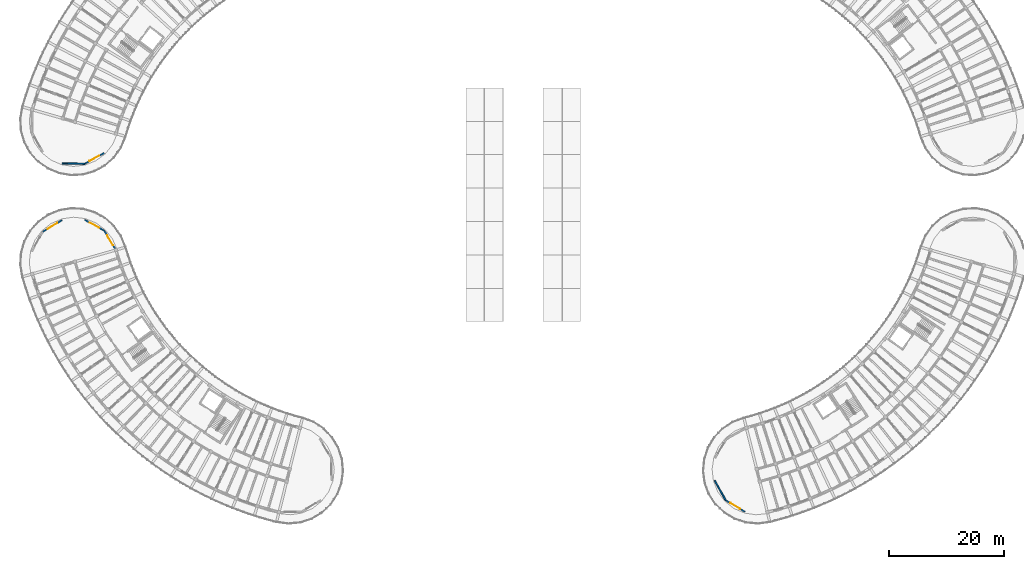
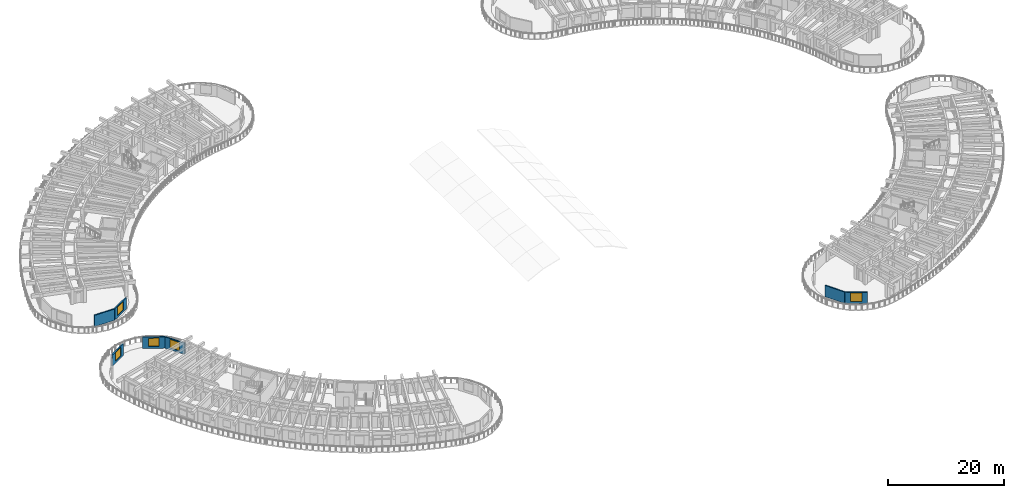
# One storey, part 58 of 96: 7 walls, 5 windows, 5 openings.
"""IFC4 building model written with IfcOpenShell, lengths in metres."""

from ifc_helpers import new_model, si_unit, direction, frame, frame_2d, origin, place, context, subcontext, project, spatial, rectangle, extrude, material, layer, layer_set, type_object, element, fill, save


model = new_model("IFC4")

# Units and contexts
model_context = context("Model", 3, precision=1e-05, world=origin(), true_north=direction((0.0, 1.0)))
body_context = subcontext(model_context, "Body", "Model", "MODEL_VIEW")
ifc_project = project(units=[si_unit("LENGTHUNIT", "METRE"), si_unit("AREAUNIT", "SQUARE_METRE"), si_unit("VOLUMEUNIT", "CUBIC_METRE"), si_unit("PLANEANGLEUNIT", "RADIAN"), si_unit("MASSUNIT", "GRAM", prefix="KILO")], contexts=[model_context])

# Site, building, storey
site_placement = place(None, origin())
site = spatial("IfcSite", under=ifc_project, at=site_placement, CompositionType="ELEMENT")
building_placement = place(site_placement, origin())
building = spatial("IfcBuilding", under=site, at=building_placement, Name="Tanwirah Colonnade Gardens", CompositionType="ELEMENT")
storey_placement = place(building_placement, frame((0.0, 0.0, 12.199951171875)))
storey = spatial("IfcBuildingStorey", under=building, at=storey_placement, Name="L03", CompositionType="ELEMENT", Elevation=12.199951171875)

# Wall, opening, window
ifc_material_1 = material(Name="Limestone architectural precast concrete C40/50", Category="masonry")
ifc_layer_1 = layer(ifc_material_1, 0.239990234375)
ifc_layer_set_1 = layer_set([ifc_layer_1], Name="Limestone architectural precast concrete C40/50")
wall_type_1 = type_object("IfcWallType", Name="EW-PC240", PredefinedType="SOLIDWALL", material=ifc_layer_set_1)
wall_1_placement = place(storey_placement, frame((131.498779296875, 6.787109375, 0.0), z_axis=(0.0, 0.0, 1.0), x_axis=(-0.85715098885, 0.515065221417, 0.0)))
wall_1 = element("IfcWall", 1, at=wall_1_placement, inside=storey, type_object=wall_type_1, Name="Block D L03 START Rounded End Wall 1", PredefinedType="SOLIDWALL", context=body_context, shape_type="SweptSolid", body=[
    extrude(rectangle(XDim=3.908203125, YDim=0.239990234375, at=frame_2d((1.9541015625, 0.0))), origin(), (0.0, 0.0, 1.0), 2.35498046875),
])
opening_1_placement = place(wall_1_placement, frame((0.97900390625, 0.0, 0.39990234375)))
opening_1 = element("IfcOpeningElement", 2, at=opening_1_placement, cuts=wall_1, Name="Opening WIN-END2", PredefinedType="OPENING", context=body_context, shape_type="SweptSolid", body=[
    extrude(rectangle(XDim=1.949951171875, YDim=1.780029296875, at=frame_2d((0.97509765625, 0.89013671875))), frame((0.0, 0.1298828125, 0.0), z_axis=(0.0, -1.0, 0.0), x_axis=(1.0, 0.0, 0.0)), (0.0, 0.0, 1.0), 0.260009765625),
])
ifc_material_2 = material(Name="Thermally broken bronze aluminium and solar low-E double glazing", Category="aluminium")
window_type_1 = type_object("IfcWindowType", Name="WIN-END2", PartitioningType="TRIPLE_PANEL_VERTICAL", PredefinedType="WINDOW", material=ifc_material_2)
window_1_placement = place(opening_1_placement, origin())
window_1 = element("IfcWindow", 3, at=window_1_placement, inside=storey, type_object=window_type_1, Name="Rounded corner window D-L03-START-1", OverallHeight=1.780029296875, OverallWidth=1.949951171875, PartitioningType="SINGLE_PANEL", PredefinedType="WINDOW", context=body_context, shape_type="SweptSolid", body=[
    extrude(rectangle(XDim=1.949951171875, YDim=1.780029296875, at=frame_2d((0.97509765625, 0.89013671875))), frame((0.0, 0.030029296875, 0.0), z_axis=(0.0, -1.0, 0.0), x_axis=(1.0, 0.0, 0.0)), (0.0, 0.0, 1.0), 0.06005859375),
])
fill(opening_1, window_1)

# Wall
wall_2_placement = place(storey_placement, frame((128.14892578125, 8.800048828125, 0.0), z_axis=(0.0, 0.0, 1.0), x_axis=(-0.484841794757, 0.874601871743, 0.0)))
element("IfcWall", 4, at=wall_2_placement, inside=storey, type_object=wall_type_1, Name="Block D L03 START Rounded End Wall 2", PredefinedType="SOLIDWALL", context=body_context, shape_type="SweptSolid", body=[
    extrude(rectangle(XDim=3.907958984375, YDim=0.239990234375, at=frame_2d((1.9541015625, 0.0))), origin(), (0.0, 0.0, 1.0), 2.35498046875),
])

# Wall, opening, window
ifc_layer_2 = layer(ifc_material_1, 0.2451171875)
ifc_layer_set_2 = layer_set([ifc_layer_2], Name="Limestone architectural precast concrete C40/50")
wall_type_2 = type_object("IfcWallType", Name="EW-PC245", PredefinedType="SOLIDWALL", material=ifc_layer_set_2)
wall_3_placement = place(storey_placement, frame((20.259033203125, 69.10205078125, 0.0), z_axis=(0.0, 0.0, 1.0), x_axis=(-0.874643043537, -0.484767517881, 0.0)))
wall_3 = element("IfcWall", 5, at=wall_3_placement, inside=storey, type_object=wall_type_2, Name="Block A L03 END Rounded End Wall 1", PredefinedType="SOLIDWALL", context=body_context, shape_type="SweptSolid", body=[
    extrude(rectangle(XDim=3.908203125, YDim=0.2451171875, at=frame_2d((1.9541015625, 0.0))), origin(), (0.0, 0.0, 1.0), 2.35498046875),
])
opening_2_placement = place(wall_3_placement, frame((0.97900390625, 0.0, 0.39990234375)))
opening_2 = element("IfcOpeningElement", 6, at=opening_2_placement, cuts=wall_3, Name="Opening WIN-END2", PredefinedType="OPENING", context=body_context, shape_type="SweptSolid", body=[
    extrude(rectangle(XDim=1.949951171875, YDim=1.780029296875, at=frame_2d((0.97509765625, 0.89013671875))), frame((0.0, 0.132568359375, 0.0), z_axis=(0.0, -1.0, 0.0), x_axis=(1.0, 0.0, 0.0)), (0.0, 0.0, 1.0), 0.26513671875),
])
window_2_placement = place(opening_2_placement, origin())
window_2 = element("IfcWindow", 7, at=window_2_placement, inside=storey, type_object=window_type_1, Name="Rounded corner window A-L03-END-1", OverallHeight=1.780029296875, OverallWidth=1.949951171875, PartitioningType="SINGLE_PANEL", PredefinedType="WINDOW", context=body_context, shape_type="SweptSolid", body=[
    extrude(rectangle(XDim=1.949951171875, YDim=1.780029296875, at=frame_2d((0.97509765625, 0.89013671875))), frame((0.0, 0.030029296875, 0.0), z_axis=(0.0, -1.0, 0.0), x_axis=(1.0, 0.0, 0.0)), (0.0, 0.0, 1.0), 0.06005859375),
])
fill(opening_2, window_2)

# Wall
wall_4_placement = place(storey_placement, frame((16.8408203125, 67.20751953125, 0.0), z_axis=(0.0, 0.0, 1.0), x_axis=(-0.999848096392, 0.017429404492, 0.0)))
element("IfcWall", 8, at=wall_4_placement, inside=storey, type_object=wall_type_2, Name="Block A L03 END Rounded End Wall 2", PredefinedType="SOLIDWALL", context=body_context, shape_type="SweptSolid", body=[
    extrude(rectangle(XDim=3.907958984375, YDim=0.2451171875, at=frame_2d((1.9541015625, 0.0))), origin(), (0.0, 0.0, 1.0), 2.35498046875),
])

# Wall, opening, window
wall_5_placement = place(storey_placement, frame((9.58349609375, 55.41162109375, 0.0), z_axis=(0.0, 0.0, 1.0), x_axis=(0.857178568309, 0.515019321998, 0.0)))
wall_5 = element("IfcWall", 9, at=wall_5_placement, inside=storey, type_object=wall_type_2, Name="Block C L03 START Rounded End Wall 2", PredefinedType="SOLIDWALL", context=body_context, shape_type="SweptSolid", body=[
    extrude(rectangle(XDim=3.907958984375, YDim=0.2451171875, at=frame_2d((1.9541015625, 0.0))), origin(), (0.0, 0.0, 1.0), 2.35498046875),
])
opening_3_placement = place(wall_5_placement, frame((0.97900390625, 0.0, 0.39990234375)))
opening_3 = element("IfcOpeningElement", 10, at=opening_3_placement, cuts=wall_5, Name="Opening WIN-END2", PredefinedType="OPENING", context=body_context, shape_type="SweptSolid", body=[
    extrude(rectangle(XDim=1.949951171875, YDim=1.780029296875, at=frame_2d((0.97509765625, 0.89013671875))), frame((0.0, 0.132568359375, 0.0), z_axis=(0.0, -1.0, 0.0), x_axis=(1.0, 0.0, 0.0)), (0.0, 0.0, 1.0), 0.26513671875),
])
window_3_placement = place(opening_3_placement, origin())
window_3 = element("IfcWindow", 11, at=window_3_placement, inside=storey, type_object=window_type_1, Name="Rounded corner window C-L03-START-2", OverallHeight=1.780029296875, OverallWidth=1.949951171875, PartitioningType="SINGLE_PANEL", PredefinedType="WINDOW", context=body_context, shape_type="SweptSolid", body=[
    extrude(rectangle(XDim=1.949951171875, YDim=1.780029296875, at=frame_2d((0.97509765625, 0.89013671875))), frame((0.0, 0.030029296875, 0.0), z_axis=(0.0, -1.0, 0.0), x_axis=(1.0, 0.0, 0.0)), (0.0, 0.0, 1.0), 0.06005859375),
])
fill(opening_3, window_3)

wall_6_placement = place(storey_placement, frame((16.8408203125, 57.49267578125, 0.0), z_axis=(0.0, 0.0, 1.0), x_axis=(0.874616555828, -0.48481530532, 0.0)))
wall_6 = element("IfcWall", 12, at=wall_6_placement, inside=storey, type_object=wall_type_2, Name="Block C L03 START Rounded End Wall 4", PredefinedType="SOLIDWALL", context=body_context, shape_type="SweptSolid", body=[
    extrude(rectangle(XDim=3.908203125, YDim=0.2451171875, at=frame_2d((1.9541015625, 0.0))), origin(), (0.0, 0.0, 1.0), 2.35498046875),
])
opening_4_placement = place(wall_6_placement, frame((1.029052734375, 0.0, 0.39990234375)))
opening_4 = element("IfcOpeningElement", 13, at=opening_4_placement, cuts=wall_6, Name="Opening WIN-END1", PredefinedType="OPENING", context=body_context, shape_type="SweptSolid", body=[
    extrude(rectangle(XDim=1.85009765625, YDim=1.719970703125, at=frame_2d((0.925048828125, 0.85986328125))), frame((0.0, 0.132568359375, 0.0), z_axis=(0.0, -1.0, 0.0), x_axis=(1.0, 0.0, 0.0)), (0.0, 0.0, 1.0), 0.26513671875),
])
window_type_2 = type_object("IfcWindowType", Name="WIN-END1", PartitioningType="TRIPLE_PANEL_VERTICAL", PredefinedType="WINDOW", material=ifc_material_2)
window_4_placement = place(opening_4_placement, origin())
window_4 = element("IfcWindow", 14, at=window_4_placement, inside=storey, type_object=window_type_2, Name="Rounded corner window C-L03-START-4", OverallHeight=1.719970703125, OverallWidth=1.85009765625, PartitioningType="SINGLE_PANEL", PredefinedType="WINDOW", context=body_context, shape_type="SweptSolid", body=[
    extrude(rectangle(XDim=1.85009765625, YDim=1.719970703125, at=frame_2d((0.925048828125, 0.85986328125))), frame((0.0, 0.030029296875, 0.0), z_axis=(0.0, -1.0, 0.0), x_axis=(1.0, 0.0, 0.0)), (0.0, 0.0, 1.0), 0.06005859375),
])
fill(opening_4, window_4)

wall_7_placement = place(storey_placement, frame((20.259033203125, 55.597900390625, 0.0), z_axis=(0.0, 0.0, 1.0), x_axis=(0.515037642827, -0.857167560324, 0.0)))
wall_7 = element("IfcWall", 15, at=wall_7_placement, inside=storey, type_object=wall_type_2, Name="Block C L03 START Rounded End Wall 5", PredefinedType="SOLIDWALL", context=body_context, shape_type="SweptSolid", body=[
    extrude(rectangle(XDim=3.908447265625, YDim=0.2451171875, at=frame_2d((1.9541015625, 0.0))), origin(), (0.0, 0.0, 1.0), 2.35498046875),
])
opening_5_placement = place(wall_7_placement, frame((0.97900390625, 0.0, 0.39990234375)))
opening_5 = element("IfcOpeningElement", 16, at=opening_5_placement, cuts=wall_7, Name="Opening WIN-END2", PredefinedType="OPENING", context=body_context, shape_type="SweptSolid", body=[
    extrude(rectangle(XDim=1.949951171875, YDim=1.780029296875, at=frame_2d((0.97509765625, 0.89013671875))), frame((0.0, 0.132568359375, 0.0), z_axis=(0.0, -1.0, 0.0), x_axis=(1.0, 0.0, 0.0)), (0.0, 0.0, 1.0), 0.26513671875),
])
window_5_placement = place(opening_5_placement, origin())
window_5 = element("IfcWindow", 17, at=window_5_placement, inside=storey, type_object=window_type_1, Name="Rounded corner window C-L03-START-5", OverallHeight=1.780029296875, OverallWidth=1.949951171875, PartitioningType="SINGLE_PANEL", PredefinedType="WINDOW", context=body_context, shape_type="SweptSolid", body=[
    extrude(rectangle(XDim=1.949951171875, YDim=1.780029296875, at=frame_2d((0.97509765625, 0.89013671875))), frame((0.0, 0.030029296875, 0.0), z_axis=(0.0, -1.0, 0.0), x_axis=(1.0, 0.0, 0.0)), (0.0, 0.0, 1.0), 0.06005859375),
])
fill(opening_5, window_5)

save(model, "model.ifc")
